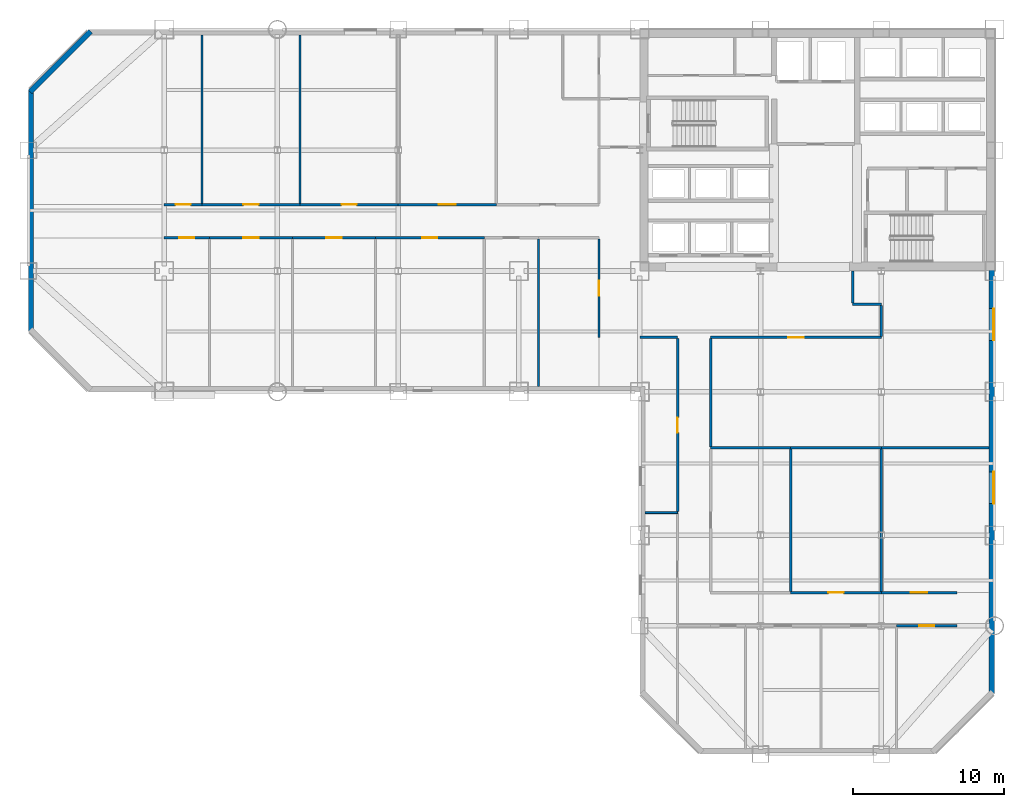
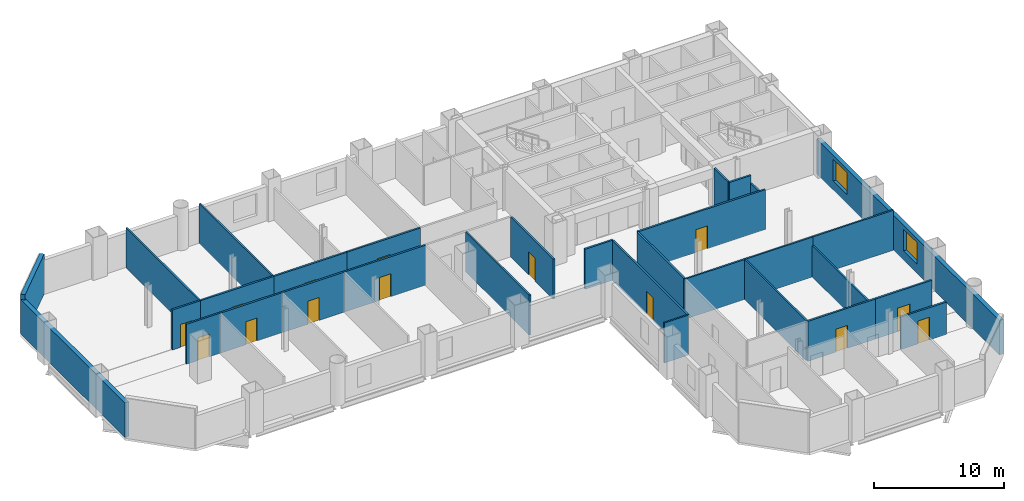
# One storey, part 5 of 9: 31 walls, 14 doors, 2 windows, 16 openings.
"""IFC4 building model written with IfcOpenShell, lengths in metres."""

from ifc_helpers import new_model, si_unit, direction, frame, frame_2d, origin, place, context, subcontext, project, spatial, rectangle, extrude, material, layer, layer_set, type_object, element, fill, save


model = new_model("IFC4")

# Units and contexts
model_context = context("Model", 3, precision=1e-05, world=origin(), true_north=direction((0.0, 1.0)))
body_context = subcontext(model_context, "Body", "Model", "MODEL_VIEW")
ifc_project = project(units=[si_unit("LENGTHUNIT", "METRE"), si_unit("AREAUNIT", "SQUARE_METRE"), si_unit("VOLUMEUNIT", "CUBIC_METRE"), si_unit("PLANEANGLEUNIT", "RADIAN"), si_unit("MASSUNIT", "GRAM", prefix="KILO")], contexts=[model_context])

# Site, building, storey
site_placement = place(None, origin())
site = spatial("IfcSite", under=ifc_project, at=site_placement, CompositionType="ELEMENT")
building_placement = place(site_placement, origin())
building = spatial("IfcBuilding", under=site, at=building_placement, Name="Qianrong Seaharbour Tower", CompositionType="ELEMENT")
storey_placement = place(building_placement, frame((0.0, 0.0, 92.199951171875)))
storey = spatial("IfcBuildingStorey", under=building, at=storey_placement, Name="L22", CompositionType="ELEMENT", Elevation=92.199951171875)

# Wall, opening, door
ifc_material_1 = material(Name="Fire-rated acoustic gypsum board partition")
ifc_layer_1 = layer(ifc_material_1, 0.1650390625)
ifc_layer_set_1 = layer_set([ifc_layer_1], Name="Fire-rated acoustic gypsum board partition")
wall_type_1 = type_object("IfcWallType", Name="WALL-CORR-PART-165", PredefinedType="PARTITIONING", material=ifc_layer_set_1)
wall_1_placement = place(storey_placement, frame((9.0, 40.39990234375, 0.0), z_axis=(0.0, 0.0, 1.0), x_axis=(1.0, 0.0, 0.0)))
wall_1 = element("IfcWall", 1, at=wall_1_placement, inside=storey, type_object=wall_type_1, Name="L22 Interior Partition Wall 017", PredefinedType="PARTITIONING", context=body_context, shape_type="SweptSolid", body=[
    extrude(rectangle(XDim=2.5, YDim=0.1650390625, at=frame_2d((1.25, 0.0))), origin(), (0.0, 0.0, 1.0), 3.75),
])
opening_1_placement = place(wall_1_placement, frame((0.75, 0.0, 0.0)))
opening_1 = element("IfcOpeningElement", 2, at=opening_1_placement, cuts=wall_1, Name="Opening DO-01", PredefinedType="OPENING", context=body_context, shape_type="SweptSolid", body=[
    extrude(rectangle(XDim=1.0, YDim=2.14990234375, at=frame_2d((0.5, 1.074951171875))), frame((0.0, 0.092529296875, 0.0), z_axis=(0.0, -1.0, 0.0), x_axis=(1.0, 0.0, 0.0)), (0.0, 0.0, 1.0), 0.18505859375),
])
ifc_material_2 = material(Name="Acoustic timber and galvanized steel fire door assembly", Category="steel")
door_type_1 = type_object("IfcDoorType", Name="DOOR-OFFICE-1000x2150", OperationType="NOTDEFINED", PredefinedType="DOOR", material=ifc_material_2)
door_1_placement = place(opening_1_placement, origin())
door_1 = element("IfcDoor", 3, at=door_1_placement, inside=storey, type_object=door_type_1, Name="L22 Vessel Model Showroom 1 Door", OperationType="SINGLE_SWING_RIGHT", OverallHeight=2.14990234375, OverallWidth=1.0, PredefinedType="DOOR", context=body_context, shape_type="SweptSolid", body=[
    extrude(rectangle(XDim=1.0, YDim=2.14990234375, at=frame_2d((0.5, 1.074951171875))), frame((0.0, 0.02490234375, 0.0), z_axis=(0.0, -1.0, 0.0), x_axis=(1.0, 0.0, 0.0)), (0.0, 0.0, 1.0), 0.050048828125),
])
fill(opening_1, door_1)

wall_2_placement = place(storey_placement, frame((11.5, 40.39990234375, 0.0), z_axis=(0.0, 0.0, 1.0), x_axis=(1.0, 0.0, 0.0)))
wall_2 = element("IfcWall", 4, at=wall_2_placement, inside=storey, type_object=wall_type_1, Name="L22 Interior Partition Wall 018", PredefinedType="PARTITIONING", context=body_context, shape_type="SweptSolid", body=[
    extrude(rectangle(XDim=6.5, YDim=0.1650390625, at=frame_2d((3.25, 0.0))), origin(), (0.0, 0.0, 1.0), 3.75),
])
opening_2_placement = place(wall_2_placement, frame((2.75, 0.0, 0.0)))
opening_2 = element("IfcOpeningElement", 5, at=opening_2_placement, cuts=wall_2, Name="Opening DO-01", PredefinedType="OPENING", context=body_context, shape_type="SweptSolid", body=[
    extrude(rectangle(XDim=1.0, YDim=2.14990234375, at=frame_2d((0.5, 1.074951171875))), frame((0.0, 0.092529296875, 0.0), z_axis=(0.0, -1.0, 0.0), x_axis=(1.0, 0.0, 0.0)), (0.0, 0.0, 1.0), 0.18505859375),
])
door_2_placement = place(opening_2_placement, origin())
door_2 = element("IfcDoor", 6, at=door_2_placement, inside=storey, type_object=door_type_1, Name="L22 Navigation Systems Showroom 2 Door", OperationType="SINGLE_SWING_LEFT", OverallHeight=2.14990234375, OverallWidth=1.0, PredefinedType="DOOR", context=body_context, shape_type="SweptSolid", body=[
    extrude(rectangle(XDim=1.0, YDim=2.14990234375, at=frame_2d((0.5, 1.074951171875))), frame((0.0, 0.02490234375, 0.0), z_axis=(0.0, -1.0, 0.0), x_axis=(1.0, 0.0, 0.0)), (0.0, 0.0, 1.0), 0.050048828125),
])
fill(opening_2, door_2)

wall_3_placement = place(storey_placement, frame((18.0, 40.39990234375, 0.0), z_axis=(0.0, 0.0, 1.0), x_axis=(1.0, 0.0, 0.0)))
wall_3 = element("IfcWall", 7, at=wall_3_placement, inside=storey, type_object=wall_type_1, Name="L22 Interior Partition Wall 019", PredefinedType="PARTITIONING", context=body_context, shape_type="SweptSolid", body=[
    extrude(rectangle(XDim=6.5, YDim=0.1650390625, at=frame_2d((3.25, 0.0))), origin(), (0.0, 0.0, 1.0), 3.75),
])
opening_3_placement = place(wall_3_placement, frame((2.75, 0.0, 0.0)))
opening_3 = element("IfcOpeningElement", 8, at=opening_3_placement, cuts=wall_3, Name="Opening DO-01", PredefinedType="OPENING", context=body_context, shape_type="SweptSolid", body=[
    extrude(rectangle(XDim=1.0, YDim=2.14990234375, at=frame_2d((0.5, 1.074951171875))), frame((0.0, 0.092529296875, 0.0), z_axis=(0.0, -1.0, 0.0), x_axis=(1.0, 0.0, 0.0)), (0.0, 0.0, 1.0), 0.18505859375),
])
door_3_placement = place(opening_3_placement, origin())
door_3 = element("IfcDoor", 9, at=door_3_placement, inside=storey, type_object=door_type_1, Name="L22 Marine Propulsion Showroom 3 Door", OperationType="SINGLE_SWING_RIGHT", OverallHeight=2.14990234375, OverallWidth=1.0, PredefinedType="DOOR", context=body_context, shape_type="SweptSolid", body=[
    extrude(rectangle(XDim=1.0, YDim=2.14990234375, at=frame_2d((0.5, 1.074951171875))), frame((0.0, 0.02490234375, 0.0), z_axis=(0.0, -1.0, 0.0), x_axis=(1.0, 0.0, 0.0)), (0.0, 0.0, 1.0), 0.050048828125),
])
fill(opening_3, door_3)

wall_4_placement = place(storey_placement, frame((24.5, 40.39990234375, 0.0), z_axis=(0.0, 0.0, 1.0), x_axis=(1.0, 0.0, 0.0)))
wall_4 = element("IfcWall", 10, at=wall_4_placement, inside=storey, type_object=wall_type_1, Name="L22 Interior Partition Wall 020", PredefinedType="PARTITIONING", context=body_context, shape_type="SweptSolid", body=[
    extrude(rectangle(XDim=6.5, YDim=0.1650390625, at=frame_2d((3.25, 0.0))), origin(), (0.0, 0.0, 1.0), 3.75),
])
opening_4_placement = place(wall_4_placement, frame((2.699951171875, 0.0, 0.0)))
opening_4 = element("IfcOpeningElement", 11, at=opening_4_placement, cuts=wall_4, Name="Opening DM-01", PredefinedType="OPENING", context=body_context, shape_type="SweptSolid", body=[
    extrude(rectangle(XDim=1.10009765625, YDim=2.199951171875, at=frame_2d((0.550048828125, 1.10009765625))), frame((0.0, 0.092529296875, 0.0), z_axis=(0.0, -1.0, 0.0), x_axis=(1.0, 0.0, 0.0)), (0.0, 0.0, 1.0), 0.18505859375),
])
door_type_2 = type_object("IfcDoorType", Name="DOOR-MEET-1100x2200", OperationType="NOTDEFINED", PredefinedType="DOOR", material=ifc_material_2)
door_4_placement = place(opening_4_placement, origin())
door_4 = element("IfcDoor", 12, at=door_4_placement, inside=storey, type_object=door_type_2, Name="L22 Contract Meeting Room 4 Door", OperationType="SINGLE_SWING_LEFT", OverallHeight=2.199951171875, OverallWidth=1.10009765625, PredefinedType="DOOR", context=body_context, shape_type="SweptSolid", body=[
    extrude(rectangle(XDim=1.10009765625, YDim=2.199951171875, at=frame_2d((0.550048828125, 1.10009765625))), frame((0.0, 0.02490234375, 0.0), z_axis=(0.0, -1.0, 0.0), x_axis=(1.0, 0.0, 0.0)), (0.0, 0.0, 1.0), 0.050048828125),
])
fill(opening_4, door_4)

wall_5_placement = place(storey_placement, frame((12.0, 38.199951171875, 0.0), z_axis=(0.0, 0.0, 1.0), x_axis=(-1.0, 0.0, 0.0)))
wall_5 = element("IfcWall", 13, at=wall_5_placement, inside=storey, type_object=wall_type_1, Name="L22 Interior Partition Wall 022", PredefinedType="PARTITIONING", context=body_context, shape_type="SweptSolid", body=[
    extrude(rectangle(XDim=3.0, YDim=0.1650390625, at=frame_2d((1.5, 0.0))), origin(), (0.0, 0.0, 1.0), 3.75),
])
opening_5_placement = place(wall_5_placement, frame((1.0, 0.0, 0.0)))
opening_5 = element("IfcOpeningElement", 14, at=opening_5_placement, cuts=wall_5, Name="Opening DO-01", PredefinedType="OPENING", context=body_context, shape_type="SweptSolid", body=[
    extrude(rectangle(XDim=1.0, YDim=2.14990234375, at=frame_2d((0.5, 1.074951171875))), frame((0.0, 0.092529296875, 0.0), z_axis=(0.0, -1.0, 0.0), x_axis=(1.0, 0.0, 0.0)), (0.0, 0.0, 1.0), 0.18505859375),
])
door_5_placement = place(opening_5_placement, origin())
door_5 = element("IfcDoor", 15, at=door_5_placement, inside=storey, type_object=door_type_1, Name="L22 Cargo Systems Showroom 1 Door", OperationType="SINGLE_SWING_LEFT", OverallHeight=2.14990234375, OverallWidth=1.0, PredefinedType="DOOR", context=body_context, shape_type="SweptSolid", body=[
    extrude(rectangle(XDim=1.0, YDim=2.14990234375, at=frame_2d((0.5, 1.074951171875))), frame((0.0, 0.02490234375, 0.0), z_axis=(0.0, -1.0, 0.0), x_axis=(1.0, 0.0, 0.0)), (0.0, 0.0, 1.0), 0.050048828125),
])
fill(opening_5, door_5)

wall_6_placement = place(storey_placement, frame((17.5, 38.199951171875, 0.0), z_axis=(0.0, 0.0, 1.0), x_axis=(-1.0, 0.0, 0.0)))
wall_6 = element("IfcWall", 16, at=wall_6_placement, inside=storey, type_object=wall_type_1, Name="L22 Interior Partition Wall 023", PredefinedType="PARTITIONING", context=body_context, shape_type="SweptSolid", body=[
    extrude(rectangle(XDim=5.5, YDim=0.1650390625, at=frame_2d((2.75, 0.0))), origin(), (0.0, 0.0, 1.0), 3.75),
])
opening_6_placement = place(wall_6_placement, frame((2.25, 0.0, 0.0)))
opening_6 = element("IfcOpeningElement", 17, at=opening_6_placement, cuts=wall_6, Name="Opening DO-01", PredefinedType="OPENING", context=body_context, shape_type="SweptSolid", body=[
    extrude(rectangle(XDim=1.0, YDim=2.14990234375, at=frame_2d((0.5, 1.074951171875))), frame((0.0, 0.092529296875, 0.0), z_axis=(0.0, -1.0, 0.0), x_axis=(1.0, 0.0, 0.0)), (0.0, 0.0, 1.0), 0.18505859375),
])
door_6_placement = place(opening_6_placement, origin())
door_6 = element("IfcDoor", 18, at=door_6_placement, inside=storey, type_object=door_type_1, Name="L22 Fleet Logistics Showroom 2 Door", OperationType="SINGLE_SWING_RIGHT", OverallHeight=2.14990234375, OverallWidth=1.0, PredefinedType="DOOR", context=body_context, shape_type="SweptSolid", body=[
    extrude(rectangle(XDim=1.0, YDim=2.14990234375, at=frame_2d((0.5, 1.074951171875))), frame((0.0, 0.02490234375, 0.0), z_axis=(0.0, -1.0, 0.0), x_axis=(1.0, 0.0, 0.0)), (0.0, 0.0, 1.0), 0.050048828125),
])
fill(opening_6, door_6)

wall_7_placement = place(storey_placement, frame((23.0, 38.199951171875, 0.0), z_axis=(0.0, 0.0, 1.0), x_axis=(-1.0, 0.0, 0.0)))
wall_7 = element("IfcWall", 19, at=wall_7_placement, inside=storey, type_object=wall_type_1, Name="L22 Interior Partition Wall 024", PredefinedType="PARTITIONING", context=body_context, shape_type="SweptSolid", body=[
    extrude(rectangle(XDim=5.5, YDim=0.1650390625, at=frame_2d((2.75, 0.0))), origin(), (0.0, 0.0, 1.0), 3.75),
])
opening_7_placement = place(wall_7_placement, frame((2.25, 0.0, 0.0)))
opening_7 = element("IfcOpeningElement", 20, at=opening_7_placement, cuts=wall_7, Name="Opening DO-01", PredefinedType="OPENING", context=body_context, shape_type="SweptSolid", body=[
    extrude(rectangle(XDim=1.0, YDim=2.14990234375, at=frame_2d((0.5, 1.074951171875))), frame((0.0, 0.092529296875, 0.0), z_axis=(0.0, -1.0, 0.0), x_axis=(1.0, 0.0, 0.0)), (0.0, 0.0, 1.0), 0.18505859375),
])
door_7_placement = place(opening_7_placement, origin())
door_7 = element("IfcDoor", 21, at=door_7_placement, inside=storey, type_object=door_type_1, Name="L22 VIP Client Lounge 3 Door", OperationType="SINGLE_SWING_LEFT", OverallHeight=2.14990234375, OverallWidth=1.0, PredefinedType="DOOR", context=body_context, shape_type="SweptSolid", body=[
    extrude(rectangle(XDim=1.0, YDim=2.14990234375, at=frame_2d((0.5, 1.074951171875))), frame((0.0, 0.02490234375, 0.0), z_axis=(0.0, -1.0, 0.0), x_axis=(1.0, 0.0, 0.0)), (0.0, 0.0, 1.0), 0.050048828125),
])
fill(opening_7, door_7)

wall_8_placement = place(storey_placement, frame((30.199951171875, 38.199951171875, 0.0), z_axis=(0.0, 0.0, 1.0), x_axis=(-1.0, 0.0, 0.0)))
wall_8 = element("IfcWall", 22, at=wall_8_placement, inside=storey, type_object=wall_type_1, Name="L22 Interior Partition Wall 025", PredefinedType="PARTITIONING", context=body_context, shape_type="SweptSolid", body=[
    extrude(rectangle(XDim=7.199951171875, YDim=0.1650390625, at=frame_2d((3.60009765625, 0.0))), origin(), (0.0, 0.0, 1.0), 3.75),
])
opening_8_placement = place(wall_8_placement, frame((3.10009765625, 0.0, 0.0)))
opening_8 = element("IfcOpeningElement", 23, at=opening_8_placement, cuts=wall_8, Name="Opening DO-01", PredefinedType="OPENING", context=body_context, shape_type="SweptSolid", body=[
    extrude(rectangle(XDim=1.0, YDim=2.14990234375, at=frame_2d((0.5, 1.074951171875))), frame((0.0, 0.092529296875, 0.0), z_axis=(0.0, -1.0, 0.0), x_axis=(1.0, 0.0, 0.0)), (0.0, 0.0, 1.0), 0.18505859375),
])
door_8_placement = place(opening_8_placement, origin())
door_8 = element("IfcDoor", 24, at=door_8_placement, inside=storey, type_object=door_type_1, Name="L22 Cargo Systems Showroom 4 Door", OperationType="SINGLE_SWING_RIGHT", OverallHeight=2.14990234375, OverallWidth=1.0, PredefinedType="DOOR", context=body_context, shape_type="SweptSolid", body=[
    extrude(rectangle(XDim=1.0, YDim=2.14990234375, at=frame_2d((0.5, 1.074951171875))), frame((0.0, 0.02490234375, 0.0), z_axis=(0.0, -1.0, 0.0), x_axis=(1.0, 0.0, 0.0)), (0.0, 0.0, 1.0), 0.050048828125),
])
fill(opening_8, door_8)

wall_9_placement = place(storey_placement, frame((37.800048828125, 31.60009765625, 0.0), z_axis=(0.0, 0.0, 1.0), x_axis=(0.0, 1.0, 0.0)))
wall_9 = element("IfcWall", 25, at=wall_9_placement, inside=storey, type_object=wall_type_1, Name="L22 Interior Partition Wall 029", PredefinedType="PARTITIONING", context=body_context, shape_type="SweptSolid", body=[
    extrude(rectangle(XDim=6.525390625, YDim=0.1650390625, at=frame_2d((3.2626953125, 0.0))), origin(), (0.0, 0.0, 1.0), 3.75),
])
opening_9_placement = place(wall_9_placement, frame((2.7626953125, 0.0, 0.0)))
opening_9 = element("IfcOpeningElement", 26, at=opening_9_placement, cuts=wall_9, Name="Opening DO-01", PredefinedType="OPENING", context=body_context, shape_type="SweptSolid", body=[
    extrude(rectangle(XDim=1.0, YDim=2.14990234375, at=frame_2d((0.5, 1.074951171875))), frame((0.0, 0.092529296875, 0.0), z_axis=(0.0, -1.0, 0.0), x_axis=(1.0, 0.0, 0.0)), (0.0, 0.0, 1.0), 0.18505859375),
])
door_9_placement = place(opening_9_placement, origin())
door_9 = element("IfcDoor", 27, at=door_9_placement, inside=storey, type_object=door_type_1, Name="L22 VIP Client Lounge 6 Door", OperationType="SINGLE_SWING_RIGHT", OverallHeight=2.14990234375, OverallWidth=1.0, PredefinedType="DOOR", context=body_context, shape_type="SweptSolid", body=[
    extrude(rectangle(XDim=1.0, YDim=2.14990234375, at=frame_2d((0.5, 1.074951171875))), frame((0.0, 0.02490234375, 0.0), z_axis=(0.0, -1.0, 0.0), x_axis=(1.0, 0.0, 0.0)), (0.0, 0.0, 1.0), 0.050048828125),
])
fill(opening_9, door_9)

# Walls
wall_10_placement = place(storey_placement, frame((54.60009765625, 36.0, 0.0), z_axis=(0.0, 0.0, 1.0), x_axis=(0.0, -1.0, 0.0)))
element("IfcWall", 28, at=wall_10_placement, inside=storey, type_object=wall_type_1, Name="L22 Interior Partition Wall 030", PredefinedType="PARTITIONING", context=body_context, shape_type="SweptSolid", body=[
    extrude(rectangle(XDim=2.12548828125, YDim=0.1650390625, at=frame_2d((1.062744140625, 0.0))), origin(), (0.0, 0.0, 1.0), 3.75),
])
wall_11_placement = place(storey_placement, frame((54.60009765625, 33.800048828125, 0.0), z_axis=(0.0, 0.0, 1.0), x_axis=(1.0, 0.0, 0.0)))
element("IfcWall", 29, at=wall_11_placement, inside=storey, type_object=wall_type_1, Name="L22 Interior Partition Wall 031", PredefinedType="PARTITIONING", context=body_context, shape_type="SweptSolid", body=[
    extrude(rectangle(XDim=1.89990234375, YDim=0.1650390625, at=frame_2d((0.949951171875, 0.0))), origin(), (0.0, 0.0, 1.0), 3.75),
])
wall_12_placement = place(storey_placement, frame((56.5, 33.7255859375, 0.0), z_axis=(0.0, 0.0, 1.0), x_axis=(0.0, -1.0, 0.0)))
element("IfcWall", 30, at=wall_12_placement, inside=storey, type_object=wall_type_1, Name="L22 Interior Partition Wall 032", PredefinedType="PARTITIONING", context=body_context, shape_type="SweptSolid", body=[
    extrude(rectangle(XDim=2.051025390625, YDim=0.1650390625, at=frame_2d((1.025390625, 0.0))), origin(), (0.0, 0.0, 1.0), 3.0419921875),
])

# Wall, opening, door
wall_13_placement = place(storey_placement, frame((56.5, 31.60009765625, 0.0), z_axis=(0.0, 0.0, 1.0), x_axis=(-1.0, 0.0, 0.0)))
wall_13 = element("IfcWall", 31, at=wall_13_placement, inside=storey, type_object=wall_type_1, Name="L22 Interior Partition Wall 033", PredefinedType="PARTITIONING", context=body_context, shape_type="SweptSolid", body=[
    extrude(rectangle(XDim=11.300048828125, YDim=0.1650390625, at=frame_2d((5.64990234375, 0.0))), origin(), (0.0, 0.0, 1.0), 3.75),
])
opening_10_placement = place(wall_13_placement, frame((5.14990234375, 0.0, 0.0)))
opening_10 = element("IfcOpeningElement", 32, at=opening_10_placement, cuts=wall_13, Name="Opening DO-01", PredefinedType="OPENING", context=body_context, shape_type="SweptSolid", body=[
    extrude(rectangle(XDim=1.0, YDim=2.14990234375, at=frame_2d((0.5, 1.074951171875))), frame((0.0, 0.092529296875, 0.0), z_axis=(0.0, -1.0, 0.0), x_axis=(1.0, 0.0, 0.0)), (0.0, 0.0, 1.0), 0.18505859375),
])
door_10_placement = place(opening_10_placement, origin())
door_10 = element("IfcDoor", 33, at=door_10_placement, inside=storey, type_object=door_type_1, Name="L22 Commercial Desk Open-Plan Office Door", OperationType="SINGLE_SWING_RIGHT", OverallHeight=2.14990234375, OverallWidth=1.0, PredefinedType="DOOR", context=body_context, shape_type="SweptSolid", body=[
    extrude(rectangle(XDim=1.0, YDim=2.14990234375, at=frame_2d((0.5, 1.074951171875))), frame((0.0, 0.02490234375, 0.0), z_axis=(0.0, -1.0, 0.0), x_axis=(1.0, 0.0, 0.0)), (0.0, 0.0, 1.0), 0.050048828125),
])
fill(opening_10, door_10)

# Walls
wall_14_placement = place(storey_placement, frame((43.0, 31.60009765625, 0.0), z_axis=(0.0, 0.0, 1.0), x_axis=(-1.0, 0.0, 0.0)))
element("IfcWall", 34, at=wall_14_placement, inside=storey, type_object=wall_type_1, Name="L22 Interior Partition Wall 034", PredefinedType="PARTITIONING", context=body_context, shape_type="SweptSolid", body=[
    extrude(rectangle(XDim=2.5, YDim=0.1650390625, at=frame_2d((1.25, 0.0))), origin(), (0.0, 0.0, 1.0), 3.75),
])
wall_15_placement = place(storey_placement, frame((45.199951171875, 31.525390625, 0.0), z_axis=(0.0, 0.0, 1.0), x_axis=(0.0, -1.0, 0.0)))
element("IfcWall", 35, at=wall_15_placement, inside=storey, type_object=wall_type_1, Name="L22 Interior Partition Wall 035", PredefinedType="PARTITIONING", context=body_context, shape_type="SweptSolid", body=[
    extrude(rectangle(XDim=7.1708984375, YDim=0.1650390625, at=frame_2d((3.58544921875, 0.0))), origin(), (0.0, 0.0, 1.0), 3.75),
])

# Wall, opening, door
wall_16_placement = place(storey_placement, frame((43.0, 20.056884765625, 0.0), z_axis=(0.0, 0.0, 1.0), x_axis=(0.0, 1.0, 0.0)))
wall_16 = element("IfcWall", 36, at=wall_16_placement, inside=storey, type_object=wall_type_1, Name="L22 Interior Partition Wall 038", PredefinedType="PARTITIONING", context=body_context, shape_type="SweptSolid", body=[
    extrude(rectangle(XDim=11.468505859375, YDim=0.1650390625, at=frame_2d((5.734375, 0.0))), origin(), (0.0, 0.0, 1.0), 3.75),
])
opening_11_placement = place(wall_16_placement, frame((5.234375, 0.0, 0.0)))
opening_11 = element("IfcOpeningElement", 37, at=opening_11_placement, cuts=wall_16, Name="Opening DO-01", PredefinedType="OPENING", context=body_context, shape_type="SweptSolid", body=[
    extrude(rectangle(XDim=1.0, YDim=2.14990234375, at=frame_2d((0.5, 1.074951171875))), frame((0.0, 0.092529296875, 0.0), z_axis=(0.0, -1.0, 0.0), x_axis=(1.0, 0.0, 0.0)), (0.0, 0.0, 1.0), 0.18505859375),
])
door_11_placement = place(opening_11_placement, origin())
door_11 = element("IfcDoor", 38, at=door_11_placement, inside=storey, type_object=door_type_1, Name="L22 Maritime Fleet Gallery 2 Door", OperationType="SINGLE_SWING_RIGHT", OverallHeight=2.14990234375, OverallWidth=1.0, PredefinedType="DOOR", context=body_context, shape_type="SweptSolid", body=[
    extrude(rectangle(XDim=1.0, YDim=2.14990234375, at=frame_2d((0.5, 1.074951171875))), frame((0.0, 0.02490234375, 0.0), z_axis=(0.0, -1.0, 0.0), x_axis=(1.0, 0.0, 0.0)), (0.0, 0.0, 1.0), 0.050048828125),
])
fill(opening_11, door_11)

wall_17_placement = place(storey_placement, frame((50.5, 14.699951171875, 0.0), z_axis=(0.0, 0.0, 1.0), x_axis=(1.0, 0.0, 0.0)))
wall_17 = element("IfcWall", 39, at=wall_17_placement, inside=storey, type_object=wall_type_1, Name="L22 Interior Partition Wall 041", PredefinedType="PARTITIONING", context=body_context, shape_type="SweptSolid", body=[
    extrude(rectangle(XDim=6.0, YDim=0.1650390625, at=frame_2d((3.0, 0.0))), origin(), (0.0, 0.0, 1.0), 3.75),
])
opening_12_placement = place(wall_17_placement, frame((2.5, 0.0, 0.0)))
opening_12 = element("IfcOpeningElement", 40, at=opening_12_placement, cuts=wall_17, Name="Opening DO-01", PredefinedType="OPENING", context=body_context, shape_type="SweptSolid", body=[
    extrude(rectangle(XDim=1.0, YDim=2.14990234375, at=frame_2d((0.5, 1.074951171875))), frame((0.0, 0.092529296875, 0.0), z_axis=(0.0, -1.0, 0.0), x_axis=(1.0, 0.0, 0.0)), (0.0, 0.0, 1.0), 0.18505859375),
])
door_12_placement = place(opening_12_placement, origin())
door_12 = element("IfcDoor", 41, at=door_12_placement, inside=storey, type_object=door_type_1, Name="L22 Port Equipment Showroom 2 Door", OperationType="SINGLE_SWING_RIGHT", OverallHeight=2.14990234375, OverallWidth=1.0, PredefinedType="DOOR", context=body_context, shape_type="SweptSolid", body=[
    extrude(rectangle(XDim=1.0, YDim=2.14990234375, at=frame_2d((0.5, 1.074951171875))), frame((0.0, 0.02490234375, 0.0), z_axis=(0.0, -1.0, 0.0), x_axis=(1.0, 0.0, 0.0)), (0.0, 0.0, 1.0), 0.050048828125),
])
fill(opening_12, door_12)

wall_18_placement = place(storey_placement, frame((56.5, 14.699951171875, 0.0), z_axis=(0.0, 0.0, 1.0), x_axis=(1.0, 0.0, 0.0)))
wall_18 = element("IfcWall", 42, at=wall_18_placement, inside=storey, type_object=wall_type_1, Name="L22 Interior Partition Wall 042", PredefinedType="PARTITIONING", context=body_context, shape_type="SweptSolid", body=[
    extrude(rectangle(XDim=5.0, YDim=0.1650390625, at=frame_2d((2.5, 0.0))), origin(), (0.0, 0.0, 1.0), 3.75),
])
opening_13_placement = place(wall_18_placement, frame((1.949951171875, 0.0, 0.0)))
opening_13 = element("IfcOpeningElement", 43, at=opening_13_placement, cuts=wall_18, Name="Opening DM-01", PredefinedType="OPENING", context=body_context, shape_type="SweptSolid", body=[
    extrude(rectangle(XDim=1.10009765625, YDim=2.199951171875, at=frame_2d((0.550048828125, 1.10009765625))), frame((0.0, 0.092529296875, 0.0), z_axis=(0.0, -1.0, 0.0), x_axis=(1.0, 0.0, 0.0)), (0.0, 0.0, 1.0), 0.18505859375),
])
door_13_placement = place(opening_13_placement, origin())
door_13 = element("IfcDoor", 44, at=door_13_placement, inside=storey, type_object=door_type_2, Name="L22 Trade Meeting Room 3 Door", OperationType="SINGLE_SWING_LEFT", OverallHeight=2.199951171875, OverallWidth=1.10009765625, PredefinedType="DOOR", context=body_context, shape_type="SweptSolid", body=[
    extrude(rectangle(XDim=1.10009765625, YDim=2.199951171875, at=frame_2d((0.550048828125, 1.10009765625))), frame((0.0, 0.02490234375, 0.0), z_axis=(0.0, -1.0, 0.0), x_axis=(1.0, 0.0, 0.0)), (0.0, 0.0, 1.0), 0.050048828125),
])
fill(opening_13, door_13)

wall_19_placement = place(storey_placement, frame((61.5, 12.5, 0.0), z_axis=(0.0, 0.0, 1.0), x_axis=(-1.0, 0.0, 0.0)))
wall_19 = element("IfcWall", 45, at=wall_19_placement, inside=storey, type_object=wall_type_1, Name="L22 Interior Partition Wall 046", PredefinedType="PARTITIONING", context=body_context, shape_type="SweptSolid", body=[
    extrude(rectangle(XDim=4.0, YDim=0.1650390625, at=frame_2d((2.0, 0.0))), origin(), (0.0, 0.0, 1.0), 3.0419921875),
])
opening_14_placement = place(wall_19_placement, frame((1.5, 0.0, 0.0)))
opening_14 = element("IfcOpeningElement", 46, at=opening_14_placement, cuts=wall_19, Name="Opening DO-01", PredefinedType="OPENING", context=body_context, shape_type="SweptSolid", body=[
    extrude(rectangle(XDim=1.0, YDim=2.14990234375, at=frame_2d((0.5, 1.074951171875))), frame((0.0, 0.092529296875, 0.0), z_axis=(0.0, -1.0, 0.0), x_axis=(1.0, 0.0, 0.0)), (0.0, 0.0, 1.0), 0.18505859375),
])
door_14_placement = place(opening_14_placement, origin())
door_14 = element("IfcDoor", 47, at=door_14_placement, inside=storey, type_object=door_type_1, Name="L22 Brokerage Office 4 Door", OperationType="SINGLE_SWING_RIGHT", OverallHeight=2.14990234375, OverallWidth=1.0, PredefinedType="DOOR", context=body_context, shape_type="SweptSolid", body=[
    extrude(rectangle(XDim=1.0, YDim=2.14990234375, at=frame_2d((0.5, 1.074951171875))), frame((0.0, 0.02490234375, 0.0), z_axis=(0.0, -1.0, 0.0), x_axis=(1.0, 0.0, 0.0)), (0.0, 0.0, 1.0), 0.050048828125),
])
fill(opening_14, door_14)

# Walls
ifc_material_3 = material(Name="Unitised red brick on Precast concrete C45/55", Category="masonry")
ifc_layer_2 = layer(ifc_material_3, 0.360107421875)
ifc_layer_set_2 = layer_set([ifc_layer_2], Name="Unitised red brick on Precast concrete C45/55")
wall_type_2 = type_object("IfcWallType", Name="WALL-EXT-BRICK-RED-360", PredefinedType="SOLIDWALL", material=ifc_layer_set_2)
wall_20_placement = place(storey_placement, frame((0.179931640625, 32.0, 0.0), z_axis=(0.0, 0.0, 1.0), x_axis=(0.0, 1.0, 0.0)))
element("IfcWall", 48, at=wall_20_placement, inside=storey, type_object=wall_type_2, Name="L22 Exterior Masonry Facade Wall WEST_TIP", PredefinedType="SOLIDWALL", context=body_context, shape_type="SweptSolid", body=[
    extrude(rectangle(XDim=16.0, YDim=0.360107421875, at=frame_2d((8.0, 0.0))), origin(), (0.0, 0.0, 1.0), 3.25),
])
wall_21_placement = place(storey_placement, frame((0.127197265625, 47.872802734375, 0.0), z_axis=(0.0, 0.0, 1.0), x_axis=(0.707106781187, 0.707106781187, 0.0)))
element("IfcWall", 49, at=wall_21_placement, inside=storey, type_object=wall_type_2, Name="L22 Exterior Masonry Facade Wall E04", PredefinedType="SOLIDWALL", context=body_context, shape_type="SweptSolid", body=[
    extrude(rectangle(XDim=5.65673828125, YDim=0.360107421875, at=frame_2d((2.828369140625, 0.0))), origin(), (0.0, 0.0, 1.0), 3.75),
])

# Wall, openings, windows
wall_22_placement = place(storey_placement, frame((63.820068359375, 36.050048828125, 0.0), z_axis=(0.0, 0.0, 1.0), x_axis=(0.0, -1.0, 0.0)))
wall_22 = element("IfcWall", 50, at=wall_22_placement, inside=storey, type_object=wall_type_2, Name="L22 Exterior Masonry Facade Wall EAST_WING", PredefinedType="SOLIDWALL", context=body_context, shape_type="SweptSolid", body=[
    extrude(rectangle(XDim=28.050048828125, YDim=0.360107421875, at=frame_2d((14.02490234375, 0.0))), origin(), (0.0, 0.0, 1.0), 3.25),
])
opening_15_placement = place(wall_22_placement, frame((2.550048828125, 0.0, 0.85009765625)))
opening_15 = element("IfcOpeningElement", 51, at=opening_15_placement, cuts=wall_22, Name="Opening WN-06", PredefinedType="OPENING", context=body_context, shape_type="SweptSolid", body=[
    extrude(rectangle(XDim=2.10009765625, YDim=2.050048828125, at=frame_2d((1.050048828125, 1.02490234375))), frame((0.0, 0.18994140625, 0.0), z_axis=(0.0, -1.0, 0.0), x_axis=(1.0, 0.0, 0.0)), (0.0, 0.0, 1.0), 0.380126953125),
])
opening_16_placement = place(wall_22_placement, frame((13.35009765625, 0.0, 0.85009765625)))
opening_16 = element("IfcOpeningElement", 52, at=opening_16_placement, cuts=wall_22, Name="Opening WN-06", PredefinedType="OPENING", context=body_context, shape_type="SweptSolid", body=[
    extrude(rectangle(XDim=2.10009765625, YDim=2.050048828125, at=frame_2d((1.050048828125, 1.02490234375))), frame((0.0, 0.18994140625, 0.0), z_axis=(0.0, -1.0, 0.0), x_axis=(1.0, 0.0, 0.0)), (0.0, 0.0, 1.0), 0.380126953125),
])
ifc_material_4 = material(Name="Insulated low-e double glazing in thermally broken aluminium 6063-T6 frame", Category="aluminium")
window_type = type_object("IfcWindowType", Name="WIN-PUNCH-2100x2050", PartitioningType="TRIPLE_PANEL_VERTICAL", PredefinedType="WINDOW", material=ifc_material_4)
window_1_placement = place(opening_15_placement, origin())
window_1 = element("IfcWindow", 53, at=window_1_placement, inside=storey, type_object=window_type, Name="L22 Deep-Set Punched Window 06.01", OverallHeight=2.050048828125, OverallWidth=2.10009765625, PartitioningType="TRIPLE_PANEL_VERTICAL", PredefinedType="WINDOW", context=body_context, shape_type="SweptSolid", body=[
    extrude(rectangle(XDim=2.10009765625, YDim=2.050048828125, at=frame_2d((1.050048828125, 1.02490234375))), frame((0.0, 0.150146484375, 0.0), z_axis=(0.0, -1.0, 0.0), x_axis=(1.0, 0.0, 0.0)), (0.0, 0.0, 1.0), 0.06005859375),
])
fill(opening_15, window_1)
window_2_placement = place(opening_16_placement, origin())
window_2 = element("IfcWindow", 54, at=window_2_placement, inside=storey, type_object=window_type, Name="L22 Deep-Set Punched Window 06.04", OverallHeight=2.050048828125, OverallWidth=2.10009765625, PartitioningType="TRIPLE_PANEL_VERTICAL", PredefinedType="WINDOW", context=body_context, shape_type="SweptSolid", body=[
    extrude(rectangle(XDim=2.10009765625, YDim=2.050048828125, at=frame_2d((1.050048828125, 1.02490234375))), frame((0.0, 0.150146484375, 0.0), z_axis=(0.0, -1.0, 0.0), x_axis=(1.0, 0.0, 0.0)), (0.0, 0.0, 1.0), 0.06005859375),
])
fill(opening_16, window_2)

# Walls
ifc_material_5 = material(Name="Acoustic gypsum board stud partition")
ifc_layer_3 = layer(ifc_material_5, 0.14501953125)
ifc_layer_set_3 = layer_set([ifc_layer_3], Name="Acoustic gypsum board stud partition")
wall_type_3 = type_object("IfcWallType", Name="WALL-OFFICE-PART-145", PredefinedType="PARTITIONING", material=ifc_layer_set_3)
wall_23_placement = place(storey_placement, frame((50.5, 24.2900390625, 0.0), z_axis=(0.0, 0.0, 1.0), x_axis=(-1.0, 0.0, 0.0)))
element("IfcWall", 55, at=wall_23_placement, inside=storey, type_object=wall_type_3, Name="L22 Interior Partition Wall 047", PredefinedType="PARTITIONING", context=body_context, shape_type="SweptSolid", body=[
    extrude(rectangle(XDim=5.300048828125, YDim=0.14501953125, at=frame_2d((2.64990234375, 0.0))), origin(), (0.0, 0.0, 1.0), 3.75),
])
wall_24_placement = place(storey_placement, frame((56.5, 24.2900390625, 0.0), z_axis=(0.0, 0.0, 1.0), x_axis=(-1.0, 0.0, 0.0)))
element("IfcWall", 56, at=wall_24_placement, inside=storey, type_object=wall_type_3, Name="L22 Interior Partition Wall 048", PredefinedType="PARTITIONING", context=body_context, shape_type="SweptSolid", body=[
    extrude(rectangle(XDim=6.0, YDim=0.14501953125, at=frame_2d((3.0, 0.0))), origin(), (0.0, 0.0, 1.0), 3.75),
])
wall_25_placement = place(storey_placement, frame((63.64794921875, 24.2900390625, 0.0), z_axis=(0.0, 0.0, 1.0), x_axis=(-1.0, 0.0, 0.0)))
element("IfcWall", 57, at=wall_25_placement, inside=storey, type_object=wall_type_3, Name="L22 Interior Partition Wall 049", PredefinedType="PARTITIONING", context=body_context, shape_type="SweptSolid", body=[
    extrude(rectangle(XDim=7.14794921875, YDim=0.14501953125, at=frame_2d((3.573974609375, 0.0))), origin(), (0.0, 0.0, 1.0), 3.75),
])
wall_26_placement = place(storey_placement, frame((50.5, 24.2255859375, 0.0), z_axis=(0.0, 0.0, 1.0), x_axis=(0.0, -1.0, 0.0)))
element("IfcWall", 58, at=wall_26_placement, inside=storey, type_object=wall_type_3, Name="L22 Interior Partition Wall 050", PredefinedType="PARTITIONING", context=body_context, shape_type="SweptSolid", body=[
    extrude(rectangle(XDim=9.451171875, YDim=0.14501953125, at=frame_2d((4.7255859375, 0.0))), origin(), (0.0, 0.0, 1.0), 3.75),
])
wall_27_placement = place(storey_placement, frame((56.5, 24.2255859375, 0.0), z_axis=(0.0, 0.0, 1.0), x_axis=(0.0, -1.0, 0.0)))
element("IfcWall", 59, at=wall_27_placement, inside=storey, type_object=wall_type_3, Name="L22 Interior Partition Wall 051", PredefinedType="PARTITIONING", context=body_context, shape_type="SweptSolid", body=[
    extrude(rectangle(XDim=9.451171875, YDim=0.14501953125, at=frame_2d((4.7255859375, 0.0))), origin(), (0.0, 0.0, 1.0), 2.942138671875),
])
for number, where, z_axis, x_axis, name in (
    (60, (11.5, 51.64794921875, 0.0), (0.0, 0.0, 1.0), (0.0, -1.0, 0.0), "L22 Interior Partition Wall 052"),
    (61, (18.0, 51.64794921875, 0.0), (0.0, 0.0, 1.0), (0.0, -1.0, 0.0), "L22 Interior Partition Wall 053"),
):
    element("IfcWall", number, at=place(storey_placement, frame(where, z_axis=z_axis, x_axis=x_axis)), inside=storey, type_object=wall_type_3, Name=name, PredefinedType="PARTITIONING", context=body_context, shape_type="SweptSolid", body=[
        extrude(rectangle(XDim=11.17333984375, YDim=0.14501953125, at=frame_2d((5.586669921875, 0.0))), origin(), (0.0, 0.0, 1.0), 3.75),
    ])
wall_28_placement = place(storey_placement, frame((33.800048828125, 38.12548828125, 0.0), z_axis=(0.0, 0.0, 1.0), x_axis=(0.0, -1.0, 0.0)))
element("IfcWall", 62, at=wall_28_placement, inside=storey, type_object=wall_type_3, Name="L22 Interior Partition Wall 060", PredefinedType="PARTITIONING", context=body_context, shape_type="SweptSolid", body=[
    extrude(rectangle(XDim=9.7734375, YDim=0.14501953125, at=frame_2d((4.88671875, 0.0))), origin(), (0.0, 0.0, 1.0), 3.75),
])
ifc_material_6 = material(Name="Water-resistant cement board sanitary partition")
ifc_layer_4 = layer(ifc_material_6, 0.1298828125)
ifc_layer_set_4 = layer_set([ifc_layer_4], Name="Water-resistant cement board sanitary partition")
wall_type_4 = type_object("IfcWallType", Name="WALL-WET-PART-130", PredefinedType="PARTITIONING", material=ifc_layer_set_4)
wall_29_placement = place(storey_placement, frame((40.85205078125, 20.0, 0.0), z_axis=(0.0, 0.0, 1.0), x_axis=(1.0, 0.0, 0.0)))
element("IfcWall", 63, at=wall_29_placement, inside=storey, type_object=wall_type_4, Name="L22 Interior Partition Wall 061", PredefinedType="PARTITIONING", context=body_context, shape_type="SweptSolid", body=[
    extrude(rectangle(XDim=2.14794921875, YDim=0.1298828125, at=frame_2d((1.073974609375, 0.0))), origin(), (0.0, 0.0, 1.0), 3.75),
])

save(model, "model.ifc")
